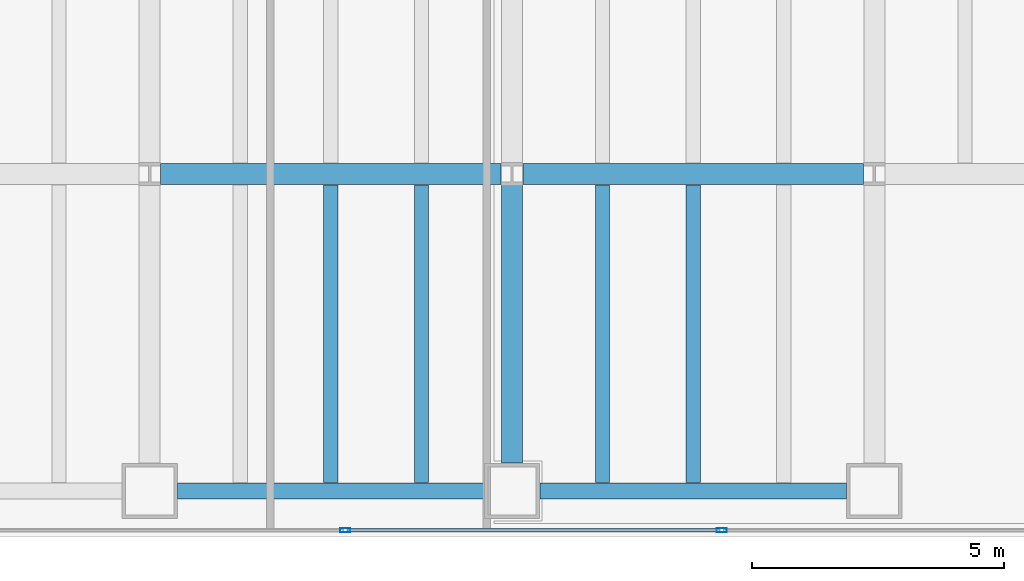
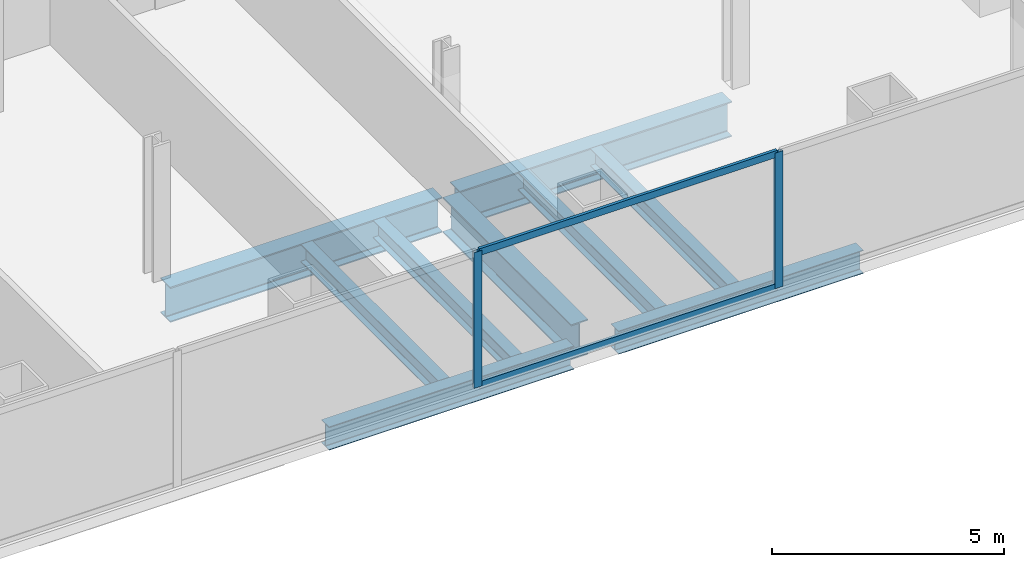
# One storey, part 7 of 25: 9 beams, 4 members, 1 element without a shape of its own.
"""IFC4 building model written with IfcOpenShell, lengths in metres."""

import ifcopenshell
import ifcopenshell.guid

model = None  # the IFC model being written
_history = None  # IfcOwnerHistory: only IFC2X3 demands one
_inside = {}  # id of a spatial element -> (the spatial element, [elements in it])
_under = {}  # id of a project, library or spatial element -> (it, [spatial elements below it])
_declared = {}  # id of a project -> (the project, [libraries it declares])
_typed = {}  # id of a type object -> (the type object, [elements of that type])
_made_of = {}  # id of a material, layer set ... -> (it, [elements and type objects made of it])


def new_model(schema):
    """Start an empty IFC model of exactly this schema.

    Asked for "IFC4X3", IfcOpenShell would pick the latest addendum, in which some entities
    have other attributes; the version numbers below select the first issue.
    IFC2X3 requires an IfcOwnerHistory on every rooted entity: one is made here for all.
    """
    global model, _history
    if schema == "IFC4X3":
        model = ifcopenshell.file(schema_version=(4, 3, 0, 0))
    else:
        model = ifcopenshell.file(schema=schema)
    _inside.clear()
    _under.clear()
    _declared.clear()
    _typed.clear()
    _made_of.clear()
    _history = None
    if model.schema == "IFC2X3":
        org = make("IfcOrganization", Name="unknown")
        user = make(
            "IfcPersonAndOrganization",
            ThePerson=make("IfcPerson", FamilyName="unknown"),
            TheOrganization=org,
        )
        app = make(
            "IfcApplication",
            ApplicationDeveloper=org,
            Version="unknown",
            ApplicationFullName="unknown",
            ApplicationIdentifier="unknown",
        )
        _history = make(
            "IfcOwnerHistory",
            OwningUser=user,
            OwningApplication=app,
            ChangeAction="ADDED",
            CreationDate=0,
        )
    return model


def make(cls, **values):
    """One entity of the class cls with the attributes given. An attribute that is None is left unset."""
    return model.create_entity(
        cls, **{name: value for name, value in values.items() if value is not None}
    )


def rooted(cls, **values):
    """An entity with a GlobalId (a new one), such as an element, a storey or a relation."""
    return make(cls, GlobalId=ifcopenshell.guid.new(), OwnerHistory=_history, **values)


def si_unit(unit_type, name, prefix=None):
    """IfcSIUnit, for example si_unit("LENGTHUNIT", "METRE", prefix="MILLI")."""
    return make("IfcSIUnit", UnitType=unit_type, Prefix=prefix, Name=name)


def assignment(units):
    """IfcUnitAssignment: the units of a project."""
    return None if units is None else make("IfcUnitAssignment", Units=units)


def point(xyz):
    """IfcCartesianPoint."""
    return None if xyz is None else make("IfcCartesianPoint", Coordinates=xyz)


def direction(xyz):
    """IfcDirection."""
    return None if xyz is None else make("IfcDirection", DirectionRatios=xyz)


def frame(location, z_axis=None, x_axis=None):
    """IfcAxis2Placement3D, a coordinate frame: its origin and axes. An axis left out is left unset."""
    return make(
        "IfcAxis2Placement3D",
        Location=point(location),
        Axis=direction(z_axis),
        RefDirection=direction(x_axis),
    )


def frame_2d(location, x_axis=None):
    """IfcAxis2Placement2D, a coordinate frame in the plane: its origin and x axis."""
    return make(
        "IfcAxis2Placement2D", Location=point(location), RefDirection=direction(x_axis)
    )


def origin():
    """The frame at (0, 0, 0) with its axes left unset."""
    return frame((0.0, 0.0, 0.0))


def origin_2d():
    """The frame at (0, 0) in the plane with its x axis left unset."""
    return frame_2d((0.0, 0.0))


def place(relative_to, where):
    """IfcLocalPlacement: puts the frame where relative to a parent placement (None: the world)."""
    return make(
        "IfcLocalPlacement", PlacementRelTo=relative_to, RelativePlacement=where
    )


def context(
    kind, dimensions, precision=None, world=None, true_north=None, identifier=None
):
    """IfcGeometricRepresentationContext, for example the 3D "Model" context."""
    return make(
        "IfcGeometricRepresentationContext",
        ContextIdentifier=identifier,
        ContextType=kind,
        CoordinateSpaceDimension=dimensions,
        Precision=precision,
        WorldCoordinateSystem=world,
        TrueNorth=true_north,
    )


def subcontext(parent, identifier, kind, view, scale=None):
    """IfcGeometricRepresentationSubContext, for example "Body" below "Model"."""
    return make(
        "IfcGeometricRepresentationSubContext",
        ContextIdentifier=identifier,
        ContextType=kind,
        ParentContext=parent,
        TargetScale=scale,
        TargetView=view,
    )


def project(units=None, contexts=None):
    """IfcProject with its units and contexts."""
    return rooted(
        "IfcProject",
        Name="project",
        RepresentationContexts=contexts,
        UnitsInContext=assignment(units),
    )


def spatial(cls, under=None, at=None, **own):
    """A site, building, storey or space (cls), placed at a placement, below another one or the project."""
    s = rooted(cls, ObjectPlacement=at, **own)
    if under is not None:
        _under.setdefault(under.id(), (under, []))[1].append(s)
    return s


def profile(cls, at=None, kind="AREA", **sizes):
    """A parametric profile (cls). Its sizes go by their IFC names, for example OverallWidth=200.0."""
    return make(cls, ProfileType=kind, Position=at, **sizes)


def hollow_rectangle(**sizes):
    """IfcRectangleHollowProfileDef."""
    return profile("IfcRectangleHollowProfileDef", **sizes)


def i_section(**sizes):
    """IfcIShapeProfileDef."""
    return profile("IfcIShapeProfileDef", **sizes)


def extrude(swept, where, along, depth):
    """IfcExtrudedAreaSolid: the profile swept, set in the frame where, extruded along a direction by depth."""
    return make(
        "IfcExtrudedAreaSolid",
        SweptArea=swept,
        Position=where,
        ExtrudedDirection=direction(along),
        Depth=depth,
    )


def shape(context_of_items, identifier, shape_type, items):
    """IfcShapeRepresentation: the items that make up one representation, for example the "Body"."""
    return make(
        "IfcShapeRepresentation",
        ContextOfItems=context_of_items,
        RepresentationIdentifier=identifier,
        RepresentationType=shape_type,
        Items=items,
    )


def material(Name=None, Category=None):
    """IfcMaterial."""
    return make("IfcMaterial", Name=Name, Category=Category)


def material_profile(
    of_material, cross_section, Name=None, Category=None, Priority=None
):
    """IfcMaterialProfile: a cross section and its material."""
    return make(
        "IfcMaterialProfile",
        Name=Name,
        Material=of_material,
        Profile=cross_section,
        Priority=Priority,
        Category=Category,
    )


def profile_set(profiles, Name=None, composite=None):
    """IfcMaterialProfileSet."""
    return make(
        "IfcMaterialProfileSet",
        Name=Name,
        MaterialProfiles=profiles,
        CompositeProfile=composite,
    )


def made_of(thing, what):
    """Note that an element or type object is made of a material, layer set ...; save() writes the relation."""
    if what is not None:
        _made_of.setdefault(what.id(), (what, []))[1].append(thing)
    return thing


def type_object(cls, material=None, **own):
    """A type object (cls), such as IfcWallType, which elements share."""
    return made_of(rooted(cls, **own), material)


def element(
    cls,
    number,
    at=None,
    inside=None,
    cuts=None,
    type_object=None,
    material=None,
    context=None,
    identifier="Body",
    shape_type=None,
    held_by="IfcProductDefinitionShape",
    body=None,
    shapes=None,
    **own,
):
    """One element of the class cls, such as IfcWall. Its Tag is "e" and its number.

    at: its placement. inside: the storey or other place that contains it. cuts: it is an
    opening in that element (IfcRelVoidsElement). A single representation is given by context,
    identifier, shape_type and body (its items); several are given by shapes. held_by: the class
    of the entity that holds the representations. save() writes the other relations.
    """
    e = rooted(cls, Tag="e%d" % number, ObjectPlacement=at, **own)
    if body is not None:
        shapes = [shape(context, identifier, shape_type, body)]
    if shapes is not None:
        e.Representation = make(held_by, Representations=shapes)
    if inside is not None:
        _inside.setdefault(inside.id(), (inside, []))[1].append(e)
    if cuts is not None:
        rooted(
            "IfcRelVoidsElement", RelatingBuildingElement=cuts, RelatedOpeningElement=e
        )
    if type_object is not None:
        _typed.setdefault(type_object.id(), (type_object, []))[1].append(e)
    return made_of(e, material)


def aggregate(whole, parts):
    """IfcRelAggregates: a whole, such as a stair, and the parts it consists of."""
    return rooted("IfcRelAggregates", RelatingObject=whole, RelatedObjects=parts)


def save(model, path):
    """Write the relations noted so far, then the file.

    IfcRelAggregates (storeys below a building ...), IfcRelContainedInSpatialStructure (elements
    in a storey), IfcRelDefinesByType, IfcRelAssociatesMaterial and IfcRelDeclares: one each for
    every whole, place, type object, material and project.
    """
    for whole, parts in _under.values():
        aggregate(whole, parts)
    for where, things in _inside.values():
        rooted(
            "IfcRelContainedInSpatialStructure",
            RelatedElements=things,
            RelatingStructure=where,
        )
    for kind, things in _typed.values():
        rooted("IfcRelDefinesByType", RelatedObjects=things, RelatingType=kind)
    for what, things in _made_of.values():
        rooted("IfcRelAssociatesMaterial", RelatedObjects=things, RelatingMaterial=what)
    for by, libraries in _declared.values():
        rooted("IfcRelDeclares", RelatingContext=by, RelatedDefinitions=libraries)
    model.write(path)


model = new_model("IFC4")

# Units and contexts
model_context = context("Model", 3, precision=1e-05, world=origin(), true_north=direction((0.0, 1.0)))
body_context = subcontext(model_context, "Body", "Model", "MODEL_VIEW")
ifc_project = project(units=[si_unit("LENGTHUNIT", "METRE"), si_unit("AREAUNIT", "SQUARE_METRE"), si_unit("VOLUMEUNIT", "CUBIC_METRE"), si_unit("PLANEANGLEUNIT", "RADIAN"), si_unit("MASSUNIT", "GRAM", prefix="KILO")], contexts=[model_context])

# Site, building, storey
site_placement = place(None, origin())
site = spatial("IfcSite", under=ifc_project, at=site_placement, CompositionType="ELEMENT")
building_placement = place(site_placement, origin())
building = spatial("IfcBuilding", under=site, at=building_placement, Name="Cobrela Telecom Tower", CompositionType="ELEMENT")
storey_placement = place(building_placement, frame((0.0, 0.0, 42.699951171875)))
storey = spatial("IfcBuildingStorey", under=building, at=storey_placement, Name="L10", CompositionType="ELEMENT", Elevation=42.699951171875)

# Beams
ifc_material_1 = material(Name="Steel ASTM A992 Grade 50", Category="steel")
ifc_material_profile_1 = material_profile(ifc_material_1, i_section(OverallWidth=0.4189453125, OverallDepth=0.927001953125, WebThickness=0.019287109375, FlangeThickness=0.031982421875, FilletRadius=0.02392578125, at=origin_2d()), Name="W36X231")
ifc_profile_set_1 = profile_set([ifc_material_profile_1], Name="Steel ASTM A992 Grade 50")
beam_type_1 = type_object("IfcBeamType", Name="BM-GIRD-02", PredefinedType="USERDEFINED", material=ifc_profile_set_1)
for number, where, z_axis, x_axis, name in (
    (1, (29.01611328125, 7.199951171875, -0.743408203125), (1.0, 0.0, 0.0), (0.0, 1.0, 0.0), "L10 Primary Girder X10"),
    (2, (36.216064453125, 7.199951171875, -0.743408203125), (1.0, 0.0, 0.0), (0.0, 1.0, 0.0), "L10 Primary Girder X11"),
):
    element("IfcBeam", number, at=place(storey_placement, frame(where, z_axis=z_axis, x_axis=x_axis)), inside=storey, type_object=beam_type_1, Name=name, ObjectType="GIRDER", PredefinedType="USERDEFINED", context=body_context, shape_type="SweptSolid", body=[
        extrude(i_section(OverallWidth=0.4189453125, OverallDepth=0.927001953125, WebThickness=0.019287109375, FlangeThickness=0.031982421875, FilletRadius=0.02392578125, at=origin_2d()), origin(), (0.0, 0.0, 1.0), 6.767822265625),
    ])
beam_placement = place(storey_placement, frame((36.0, 1.455078125, -0.743408203125), z_axis=(0.0, 1.0, 0.0), x_axis=(-1.0, 0.0, 0.0)))
element("IfcBeam", 3, at=beam_placement, inside=storey, type_object=beam_type_1, Name="L10 Primary Girder Y50", ObjectType="GIRDER", PredefinedType="USERDEFINED", context=body_context, shape_type="SweptSolid", body=[
    extrude(i_section(OverallWidth=0.4189453125, OverallDepth=0.927001953125, WebThickness=0.019287109375, FlangeThickness=0.031982421875, FilletRadius=0.02392578125, at=origin_2d()), origin(), (0.0, 0.0, 1.0), 5.52880859375),
])
ifc_material_profile_2 = material_profile(ifc_material_1, i_section(OverallWidth=0.281982421875, OverallDepth=0.467041015625, WebThickness=0.01220703125, FlangeThickness=0.01953125, FilletRadius=0.012939453125, at=origin_2d()), Name="W18X86")
ifc_profile_set_2 = profile_set([ifc_material_profile_2], Name="Steel ASTM A992 Grade 50")
beam_type_2 = type_object("IfcBeamType", Name="BM-JOIST-02", PredefinedType="JOIST", material=ifc_profile_set_2)
for number, where, z_axis, x_axis, name in (
    (4, (32.39990234375, 1.0673828125, -0.513427734375), (0.0, 1.0, 0.0), (-1.0, 0.0, 0.0), "L10 Secondary Composite Floor Beam J44"),
    (5, (34.199951171875, 1.0673828125, -0.513427734375), (0.0, 1.0, 0.0), (-1.0, 0.0, 0.0), "L10 Secondary Composite Floor Beam J47"),
    (6, (37.800048828125, 1.0673828125, -0.513427734375), (0.0, 1.0, 0.0), (-1.0, 0.0, 0.0), "L10 Secondary Composite Floor Beam J50"),
    (7, (39.60009765625, 1.0673828125, -0.513427734375), (0.0, 1.0, 0.0), (-1.0, 0.0, 0.0), "L10 Secondary Composite Floor Beam J53"),
):
    element("IfcBeam", number, at=place(storey_placement, frame(where, z_axis=z_axis, x_axis=x_axis)), inside=storey, type_object=beam_type_2, Name=name, PredefinedType="JOIST", context=body_context, shape_type="SweptSolid", body=[
        extrude(i_section(OverallWidth=0.281982421875, OverallDepth=0.467041015625, WebThickness=0.01220703125, FlangeThickness=0.01953125, FilletRadius=0.012939453125, at=origin_2d()), origin(), (0.0, 0.0, 1.0), 5.918212890625),
    ])
ifc_material_profile_3 = material_profile(ifc_material_1, i_section(OverallWidth=0.324951171875, OverallDepth=0.612060546875, WebThickness=0.0126953125, FlangeThickness=0.01904296875, FilletRadius=0.014892578125, at=origin_2d()), Name="W24X104")
ifc_profile_set_3 = profile_set([ifc_material_profile_3], Name="Steel ASTM A992 Grade 50")
beam_type_3 = type_object("IfcBeamType", Name="BM-SPAND-02", PredefinedType="SPANDREL", material=ifc_profile_set_3)
for number, where, z_axis, x_axis, name in (
    (8, (29.35498046875, 0.89990234375, -0.5859375), (1.0, 0.0, 0.0), (0.0, 1.0, 0.0), "L10 Perimeter Spandrel X04"),
    (9, (36.554931640625, 0.89990234375, -0.5859375), (1.0, 0.0, 0.0), (0.0, 1.0, 0.0), "L10 Perimeter Spandrel X05"),
):
    element("IfcBeam", number, at=place(storey_placement, frame(where, z_axis=z_axis, x_axis=x_axis)), inside=storey, type_object=beam_type_3, Name=name, PredefinedType="SPANDREL", context=body_context, shape_type="SweptSolid", body=[
        extrude(i_section(OverallWidth=0.324951171875, OverallDepth=0.612060546875, WebThickness=0.0126953125, FlangeThickness=0.01904296875, FilletRadius=0.014892578125, at=origin_2d()), origin(), (0.0, 0.0, 1.0), 6.090087890625),
    ])

# Curtain wall, members
ifc_material_2 = material(Name="Anodized Bronze Aluminium 6063-T6", Category="aluminium")
curtain_wall_type = type_object("IfcCurtainWallType", Name="CW-SYS-DATA", PredefinedType="USERDEFINED", material=ifc_material_2)
curtain_wall_placement = place(storey_placement, origin())
curtain_wall = element("IfcCurtainWall", 10, at=curtain_wall_placement, inside=storey, type_object=curtain_wall_type, Name="L10 Unitised Bronze Curtain Wall 17", ObjectType="UNITISED CURTAIN WALL", PredefinedType="USERDEFINED")
ifc_material_profile_4 = material_profile(ifc_material_2, hollow_rectangle(XDim=0.080078125, YDim=0.199951171875, WallThickness=0.00390625, at=origin_2d()), Name="ALU 80x200x4")
ifc_profile_set_4 = profile_set([ifc_material_profile_4], Name="Anodized Bronze Aluminium 6063-T6")
member_type_1 = type_object("IfcMemberType", Name="CW-SYS-DATA-MUL", PredefinedType="MULLION", material=ifc_profile_set_4)
member_1_placement = place(storey_placement, frame((40.166748046875, 0.1201171875, 0.0), z_axis=(0.0, 0.0, 1.0), x_axis=(0.0, -1.0, 0.0)))
member_1 = element("IfcMember", 11, at=member_1_placement, type_object=member_type_1, Name="CW-DATA mullion 2", PredefinedType="MULLION", context=body_context, shape_type="SweptSolid", body=[
    extrude(hollow_rectangle(XDim=0.080078125, YDim=0.199951171875, WallThickness=0.00390625, at=origin_2d()), origin(), (0.0, 0.0, 1.0), 3.570068359375),
])
member_2_placement = place(storey_placement, frame((32.683349609375, 0.1201171875, 0.0), z_axis=(0.0, 0.0, 1.0), x_axis=(0.0, -1.0, 0.0)))
member_2 = element("IfcMember", 12, at=member_2_placement, type_object=member_type_1, Name="CW-DATA mullion 3", PredefinedType="MULLION", context=body_context, shape_type="SweptSolid", body=[
    extrude(hollow_rectangle(XDim=0.080078125, YDim=0.199951171875, WallThickness=0.00390625, at=origin_2d()), origin(), (0.0, 0.0, 1.0), 3.570068359375),
])
ifc_material_profile_5 = material_profile(ifc_material_2, hollow_rectangle(XDim=0.074951171875, YDim=0.179931640625, WallThickness=0.00390625, at=origin_2d()), Name="ALU 75x180x4")
ifc_profile_set_5 = profile_set([ifc_material_profile_5], Name="Anodized Bronze Aluminium 6063-T6")
member_type_2 = type_object("IfcMemberType", Name="CW-SYS-DATA-TRN", PredefinedType="USERDEFINED", material=ifc_profile_set_5)
member_3_placement = place(storey_placement, frame((40.126708984375, 0.1201171875, 0.03759765625), z_axis=(-1.0, 0.0, 0.0), x_axis=(0.0, -1.0, 0.0)))
member_3 = element("IfcMember", 13, at=member_3_placement, type_object=member_type_2, Name="CW-DATA transom 2.1", ObjectType="TRANSOM", PredefinedType="USERDEFINED", context=body_context, shape_type="SweptSolid", body=[
    extrude(hollow_rectangle(XDim=0.074951171875, YDim=0.179931640625, WallThickness=0.00390625, at=origin_2d()), origin(), (0.0, 0.0, 1.0), 7.4033203125),
])
member_4_placement = place(storey_placement, frame((40.126708984375, 0.1201171875, 3.532470703125), z_axis=(-1.0, 0.0, 0.0), x_axis=(0.0, -1.0, 0.0)))
member_4 = element("IfcMember", 14, at=member_4_placement, type_object=member_type_2, Name="CW-DATA transom 2.2", ObjectType="TRANSOM", PredefinedType="USERDEFINED", context=body_context, shape_type="SweptSolid", body=[
    extrude(hollow_rectangle(XDim=0.074951171875, YDim=0.179931640625, WallThickness=0.00390625, at=origin_2d()), origin(), (0.0, 0.0, 1.0), 7.4033203125),
])
aggregate(curtain_wall, [member_1, member_2, member_3, member_4])

save(model, "model.ifc")
